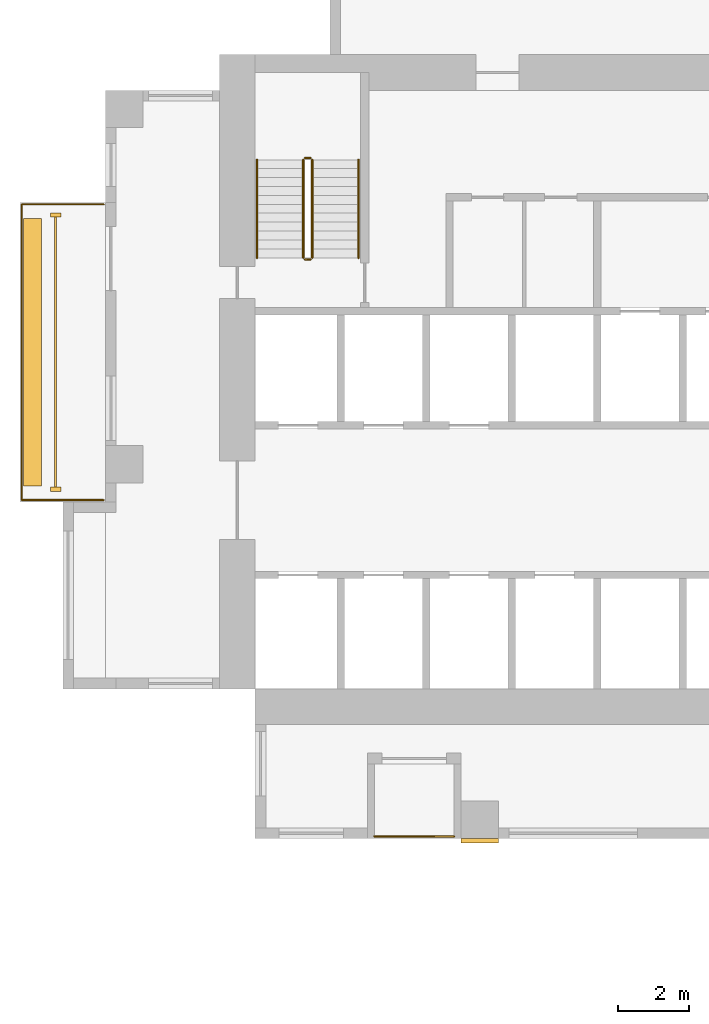
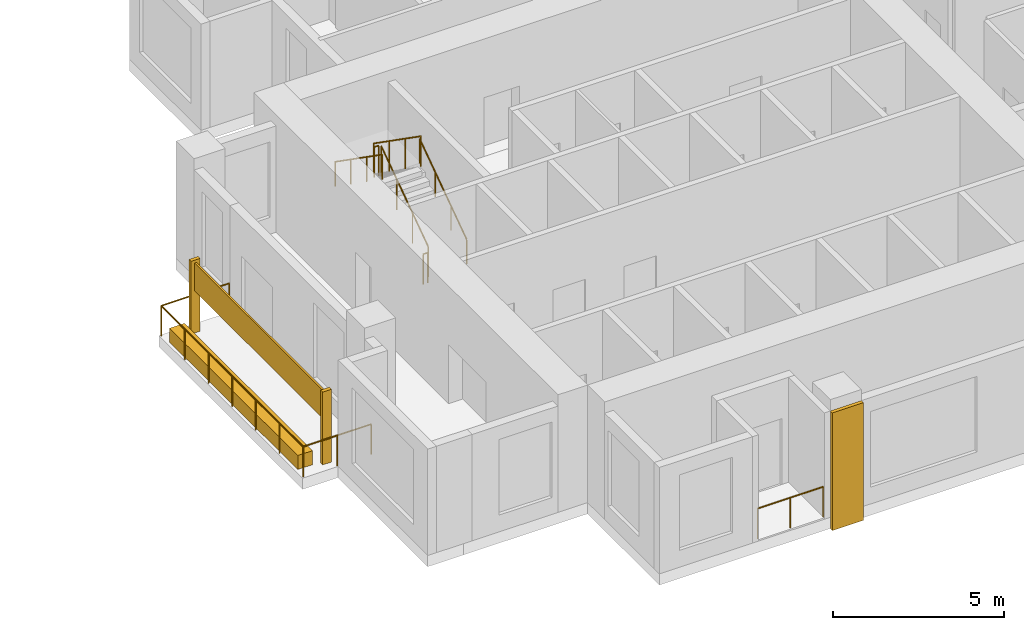
# One storey, part 10 of 14: 8 railings, 5 coverings.
"""IFC4 building model written with IfcOpenShell, lengths in metres."""

from ifc_helpers import new_model, si_unit, direction, frame, origin, origin_2d, place, context, subcontext, project, spatial, rectangle, circle, extrude, source, transform, mapped, material, type_object, element, save


model = new_model("IFC4")

# Units and contexts
model_context = context("Model", 3, precision=1e-05, world=origin(), true_north=direction((0.0, 1.0)))
body_context = subcontext(model_context, "Body", "Model", "MODEL_VIEW")
ifc_project = project(units=[si_unit("LENGTHUNIT", "METRE"), si_unit("AREAUNIT", "SQUARE_METRE"), si_unit("VOLUMEUNIT", "CUBIC_METRE"), si_unit("PLANEANGLEUNIT", "RADIAN"), si_unit("MASSUNIT", "GRAM", prefix="KILO")], contexts=[model_context])

# Site, building, storey
site_placement = place(None, origin())
site = spatial("IfcSite", under=ifc_project, at=site_placement, CompositionType="ELEMENT")
building_placement = place(site_placement, origin())
building = spatial("IfcBuilding", under=site, at=building_placement, Name="Aurelian Terraces", CompositionType="ELEMENT")
storey_placement = place(building_placement, frame((0.0, 0.0, 149.7)))
storey = spatial("IfcBuildingStorey", under=building, at=storey_placement, Name="L33", CompositionType="ELEMENT", Elevation=149.7)

# Coverings
ifc_material_1 = material(Name="Terracotta rainscreen cladding relief", Category="masonry")
covering_type_1 = type_object("IfcCoveringType", Name="FIN-TC", PredefinedType="CLADDING", material=ifc_material_1)
shared_shape_1 = source(origin(), body_context, "Body", "SweptSolid", [
    extrude(rectangle(XDim=0.3, YDim=0.12, at=origin_2d()), origin(), (0.0, 0.0, 1.0), 2.6),
])
for number, where, z_axis, x_axis, name in (
    (1, (-1.4, 17.5, 0.0), (0.0, 0.0, 1.0), (1.0, 0.0, 0.0), "FIN L33 L33-F24-41.1"),
    (2, (-1.4, 9.8, 0.0), (0.0, 0.0, 1.0), (1.0, 0.0, 0.0), "FIN L33 L33-F24-41.2"),
):
    element("IfcCovering", number, at=place(storey_placement, frame(where, z_axis=z_axis, x_axis=x_axis)), inside=storey, type_object=covering_type_1, Name=name, PredefinedType="CLADDING", context=body_context, shape_type="MappedRepresentation", body=[
        mapped(shared_shape_1, transform((0.0, 0.0, 0.0), scale=1.0)),
    ])
covering_type_2 = type_object("IfcCoveringType", Name="BAGUETTE-TC", PredefinedType="CLADDING", material=ifc_material_1)
shared_shape_2 = source(origin(), body_context, "Body", "SweptSolid", [
    extrude(rectangle(XDim=1.05, YDim=0.12, at=origin_2d()), origin(), (0.0, 0.0, 1.0), 4.2),
])
covering_1_placement = place(storey_placement, frame((10.5, -0.06, -0.4), z_axis=(0.0, 0.0, 1.0), x_axis=(1.0, 0.0, 0.0)))
element("IfcCovering", 3, at=covering_1_placement, inside=storey, type_object=covering_type_2, Name="BAGUETTE pier L33 1", PredefinedType="CLADDING", context=body_context, shape_type="MappedRepresentation", body=[
    mapped(shared_shape_2, transform((0.0, 0.0, 0.0), scale=1.0)),
])

# Railing
ifc_material_2 = material(Name="Anodised aluminium", Category="aluminium")
railing_type_1 = type_object("IfcRailingType", Name="GUARD-1100", PredefinedType="GUARDRAIL", material=ifc_material_2)
shared_shape_3 = source(origin(), body_context, "Body", "SweptSolid", [
    extrude(circle(Radius=0.024, at=origin_2d()), frame((0.0, 0.0, 1.076), z_axis=(-1.0, 0.0, 0.0), x_axis=(0.0, -1.0, 0.0)), (0.0, 0.0, 1.0), 2.3),
    extrude(circle(Radius=0.024, at=origin_2d()), frame((-2.3, 0.0, 1.076), z_axis=(0.0, -1.0, 0.0), x_axis=(1.0, 0.0, 0.0)), (0.0, 0.0, 1.0), 8.3),
    extrude(circle(Radius=0.024, at=origin_2d()), frame((-2.3, -8.3, 1.076), z_axis=(1.0, 0.0, 0.0), x_axis=(0.0, 1.0, 0.0)), (0.0, 0.0, 1.0), 2.3),
    extrude(circle(Radius=0.021, at=origin_2d()), origin(), (0.0, 0.0, 1.0), 1.052),
    extrude(circle(Radius=0.021, at=origin_2d()), frame((-1.15, 0.0, 0.0)), (0.0, 0.0, 1.0), 1.052),
    extrude(circle(Radius=0.021, at=origin_2d()), frame((-2.3, 0.0, 0.0)), (0.0, 0.0, 1.0), 1.052),
    extrude(circle(Radius=0.021, at=origin_2d()), frame((-2.3, -1.3833, 0.0)), (0.0, 0.0, 1.0), 1.052),
    extrude(circle(Radius=0.021, at=origin_2d()), frame((-2.3, -2.7667, 0.0)), (0.0, 0.0, 1.0), 1.052),
    extrude(circle(Radius=0.021, at=origin_2d()), frame((-2.3, -4.15, 0.0)), (0.0, 0.0, 1.0), 1.052),
    extrude(circle(Radius=0.021, at=origin_2d()), frame((-2.3, -5.5333, 0.0)), (0.0, 0.0, 1.0), 1.052),
    extrude(circle(Radius=0.021, at=origin_2d()), frame((-2.3, -6.9167, 0.0)), (0.0, 0.0, 1.0), 1.052),
    extrude(circle(Radius=0.021, at=origin_2d()), frame((-2.3, -8.3, 0.0)), (0.0, 0.0, 1.0), 1.052),
    extrude(circle(Radius=0.021, at=origin_2d()), frame((-1.15, -8.3, 0.0)), (0.0, 0.0, 1.0), 1.052),
    extrude(circle(Radius=0.021, at=origin_2d()), frame((0.0, -8.3, 0.0)), (0.0, 0.0, 1.0), 1.052),
])
railing_1_placement = place(storey_placement, frame((-0.05, 17.8, 0.0)))
element("IfcRailing", 4, at=railing_1_placement, inside=storey, type_object=railing_type_1, Name="Balcony guard L33 F24.41", PredefinedType="GUARDRAIL", context=body_context, shape_type="MappedRepresentation", body=[
    mapped(shared_shape_3, transform((0.0, 0.0, 0.0), scale=1.0)),
])

# Coverings
ifc_material_3 = material(Name="Terracotta planter with planting soil", Category="masonry")
covering_type_3 = type_object("IfcCoveringType", Name="PLANTER-TROUGH", PredefinedType="USERDEFINED", material=ifc_material_3)
shared_shape_4 = source(origin(), body_context, "Body", "SweptSolid", [
    extrude(rectangle(XDim=0.5, YDim=7.5, at=origin_2d()), origin(), (0.0, 0.0, 1.0), 0.5),
])
covering_2_placement = place(storey_placement, frame((-2.05, 13.65, 0.0), z_axis=(0.0, 0.0, 1.0), x_axis=(1.0, 0.0, 0.0)))
element("IfcCovering", 5, at=covering_2_placement, inside=storey, type_object=covering_type_3, Name="PLANTER L33 L33-F24-41", ObjectType="PLANTER", PredefinedType="USERDEFINED", context=body_context, shape_type="MappedRepresentation", body=[
    mapped(shared_shape_4, transform((0.0, 0.0, 0.0), scale=1.0)),
])
ifc_material_4 = material(Name="Terracotta rainscreen cladding", Category="masonry")
covering_type_4 = type_object("IfcCoveringType", Name="SCREEN-TC", PredefinedType="CLADDING", material=ifc_material_4)
shared_shape_5 = source(origin(), body_context, "Body", "SweptSolid", [
    extrude(rectangle(XDim=0.06, YDim=7.58, at=origin_2d()), origin(), (0.0, 0.0, 1.0), 1.0),
])
covering_3_placement = place(storey_placement, frame((-1.4, 13.65, 1.5), z_axis=(0.0, 0.0, 1.0), x_axis=(1.0, 0.0, 0.0)))
element("IfcCovering", 6, at=covering_3_placement, inside=storey, type_object=covering_type_4, Name="SCREEN L33 L33-F24-41", PredefinedType="CLADDING", context=body_context, shape_type="MappedRepresentation", body=[
    mapped(shared_shape_5, transform((0.0, 0.0, 0.0), scale=1.0)),
])

# Railings
shared_shape_6 = source(origin(), body_context, "Body", "SweptSolid", [
    extrude(circle(Radius=0.024, at=origin_2d()), frame((0.0, 0.0, 1.076), z_axis=(1.0, 0.0, 0.0), x_axis=(0.0, 1.0, 0.0)), (0.0, 0.0, 1.0), 2.225),
    extrude(circle(Radius=0.021, at=origin_2d()), origin(), (0.0, 0.0, 1.0), 1.052),
    extrude(circle(Radius=0.021, at=origin_2d()), frame((1.1125, 0.0, 0.0)), (0.0, 0.0, 1.0), 1.052),
    extrude(circle(Radius=0.021, at=origin_2d()), frame((2.225, 0.0, 0.0)), (0.0, 0.0, 1.0), 1.052),
])
railing_2_placement = place(storey_placement, frame((7.55, 0.06, 0.05)))
element("IfcRailing", 7, at=railing_2_placement, inside=storey, type_object=railing_type_1, Name="Loggia guard L33 F01.2", PredefinedType="GUARDRAIL", context=body_context, shape_type="MappedRepresentation", body=[
    mapped(shared_shape_6, transform((0.0, 0.0, 0.0), scale=1.0)),
])
ifc_material_5 = material(Name="Stainless steel", Category="steel")
railing_type_2 = type_object("IfcRailingType", Name="Stair guard 1100", PredefinedType="GUARDRAIL", material=ifc_material_5)
shared_shape_7 = source(origin(), body_context, "Body", "SweptSolid", [
    extrude(circle(Radius=0.024, at=origin_2d()), frame((0.0, 0.0, 1.076), z_axis=(-1.0, 0.0, 0.0), x_axis=(0.0, -1.0, 0.0)), (0.0, 0.0, 1.0), 0.15),
    extrude(circle(Radius=0.021, at=origin_2d()), origin(), (0.0, 0.0, 1.0), 1.052),
    extrude(circle(Radius=0.021, at=origin_2d()), frame((-0.15, 0.0, 0.0)), (0.0, 0.0, 1.0), 1.052),
])
for number, where, name in (
    (8, (5.75, 19.1, 2.1), "L33 S1 stair guard 2"),
    (9, (5.75, 16.25, 0.0), "L33 S1 stair guard 4"),
):
    element("IfcRailing", number, at=place(storey_placement, frame(where)), inside=storey, type_object=railing_type_2, Name=name, PredefinedType="GUARDRAIL", context=body_context, shape_type="MappedRepresentation", body=[
        mapped(shared_shape_7, transform((0.0, 0.0, 0.0), scale=1.0)),
    ])
shared_shape_8 = source(origin(), body_context, "Body", "SweptSolid", [
    extrude(circle(Radius=0.024, at=origin_2d()), frame((0.0, 0.0, 1.076), z_axis=(0.0, 0.819231920519, 0.573462344363), x_axis=(-1.0, 0.0, 0.0)), (0.0, 0.0, 1.0), 3.3568),
    extrude(circle(Radius=0.021, at=origin_2d()), origin(), (0.0, 0.0, 1.0), 1.052),
    extrude(circle(Radius=0.021, at=origin_2d()), frame((0.0, 0.9167, 0.6417)), (0.0, 0.0, 1.0), 1.052),
    extrude(circle(Radius=0.021, at=origin_2d()), frame((0.0, 1.8333, 1.2833)), (0.0, 0.0, 1.0), 1.052),
    extrude(circle(Radius=0.021, at=origin_2d()), frame((0.0, 2.75, 1.925)), (0.0, 0.0, 1.0), 1.052),
])
railing_3_placement = place(storey_placement, frame((5.8, 16.3, 0.175)))
element("IfcRailing", 10, at=railing_3_placement, inside=storey, type_object=railing_type_2, Name="L33 S1 stair guard 1", PredefinedType="GUARDRAIL", context=body_context, shape_type="MappedRepresentation", body=[
    mapped(shared_shape_8, transform((0.0, 0.0, 0.0), scale=1.0)),
])
shared_shape_9 = source(origin(), body_context, "Body", "SweptSolid", [
    extrude(circle(Radius=0.024, at=origin_2d()), frame((0.0, 0.0, 1.076), z_axis=(0.0, -0.819231920519, 0.573462344363), x_axis=(1.0, 0.0, 0.0)), (0.0, 0.0, 1.0), 3.3568),
    extrude(circle(Radius=0.021, at=origin_2d()), origin(), (0.0, 0.0, 1.0), 1.052),
    extrude(circle(Radius=0.021, at=origin_2d()), frame((0.0, -0.9167, 0.6417)), (0.0, 0.0, 1.0), 1.052),
    extrude(circle(Radius=0.021, at=origin_2d()), frame((0.0, -1.8333, 1.2833)), (0.0, 0.0, 1.0), 1.052),
    extrude(circle(Radius=0.021, at=origin_2d()), frame((0.0, -2.75, 1.925)), (0.0, 0.0, 1.0), 1.052),
])
railing_4_placement = place(storey_placement, frame((5.55, 19.05, 2.275)))
element("IfcRailing", 11, at=railing_4_placement, inside=storey, type_object=railing_type_2, Name="L33 S1 stair guard 3", PredefinedType="GUARDRAIL", context=body_context, shape_type="MappedRepresentation", body=[
    mapped(shared_shape_9, transform((0.0, 0.0, 0.0), scale=1.0)),
])
railing_type_3 = type_object("IfcRailingType", Name="Stair handrail", PredefinedType="HANDRAIL", material=ifc_material_5)
shared_shape_10 = source(origin(), body_context, "Body", "SweptSolid", [
    extrude(circle(Radius=0.024, at=origin_2d()), frame((0.0, 0.0, 0.876), z_axis=(0.0, 0.819231920519, 0.573462344363), x_axis=(-1.0, 0.0, 0.0)), (0.0, 0.0, 1.0), 3.3568),
    extrude(circle(Radius=0.021, at=origin_2d()), origin(), (0.0, 0.0, 1.0), 0.852),
    extrude(circle(Radius=0.021, at=origin_2d()), frame((0.0, 0.9167, 0.6417)), (0.0, 0.0, 1.0), 0.852),
    extrude(circle(Radius=0.021, at=origin_2d()), frame((0.0, 1.8333, 1.2833)), (0.0, 0.0, 1.0), 0.852),
    extrude(circle(Radius=0.021, at=origin_2d()), frame((0.0, 2.75, 1.925)), (0.0, 0.0, 1.0), 0.852),
])
railing_5_placement = place(storey_placement, frame((7.1, 16.3, 0.175)))
element("IfcRailing", 12, at=railing_5_placement, inside=storey, type_object=railing_type_3, Name="L33 S1 stair handrail 1", PredefinedType="HANDRAIL", context=body_context, shape_type="MappedRepresentation", body=[
    mapped(shared_shape_10, transform((0.0, 0.0, 0.0), scale=1.0)),
])
shared_shape_11 = source(origin(), body_context, "Body", "SweptSolid", [
    extrude(circle(Radius=0.024, at=origin_2d()), frame((0.0, 0.0, 0.876), z_axis=(0.0, -0.819231920519, 0.573462344363), x_axis=(1.0, 0.0, 0.0)), (0.0, 0.0, 1.0), 3.3568),
    extrude(circle(Radius=0.021, at=origin_2d()), origin(), (0.0, 0.0, 1.0), 0.852),
    extrude(circle(Radius=0.021, at=origin_2d()), frame((0.0, -0.9167, 0.6417)), (0.0, 0.0, 1.0), 0.852),
    extrude(circle(Radius=0.021, at=origin_2d()), frame((0.0, -1.8333, 1.2833)), (0.0, 0.0, 1.0), 0.852),
    extrude(circle(Radius=0.021, at=origin_2d()), frame((0.0, -2.75, 1.925)), (0.0, 0.0, 1.0), 0.852),
])
railing_6_placement = place(storey_placement, frame((4.25, 19.05, 2.275)))
element("IfcRailing", 13, at=railing_6_placement, inside=storey, type_object=railing_type_3, Name="L33 S1 stair handrail 2", PredefinedType="HANDRAIL", context=body_context, shape_type="MappedRepresentation", body=[
    mapped(shared_shape_11, transform((0.0, 0.0, 0.0), scale=1.0)),
])

save(model, "model.ifc")
